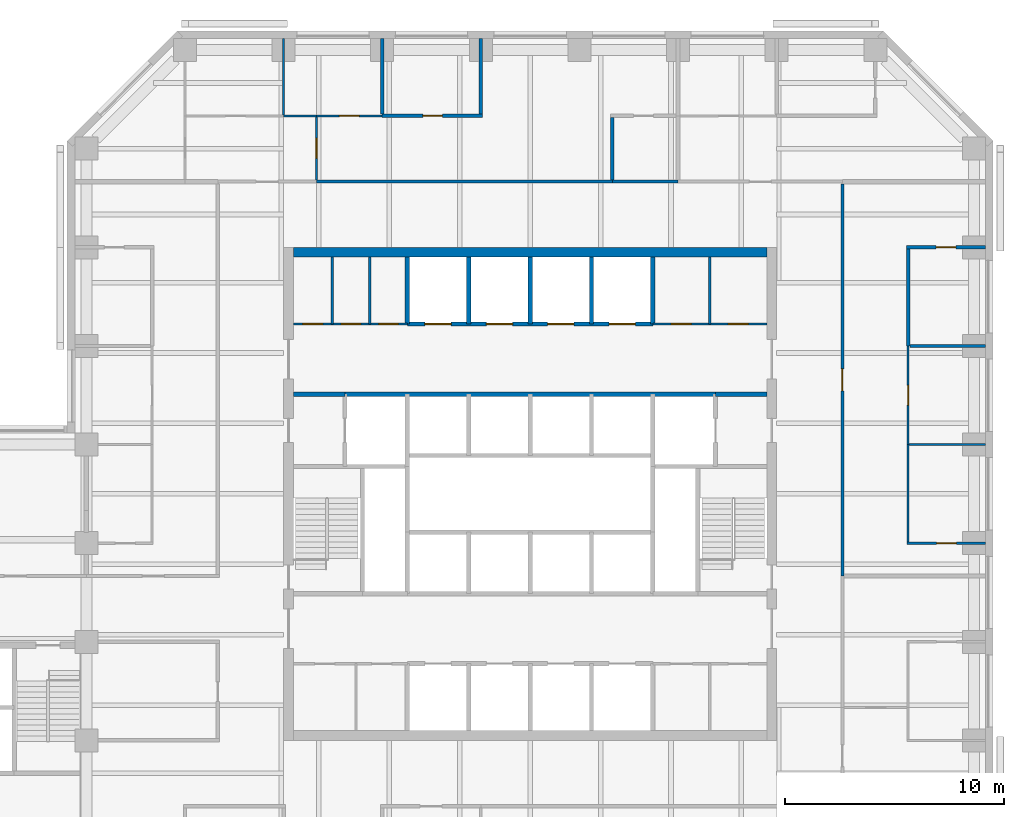
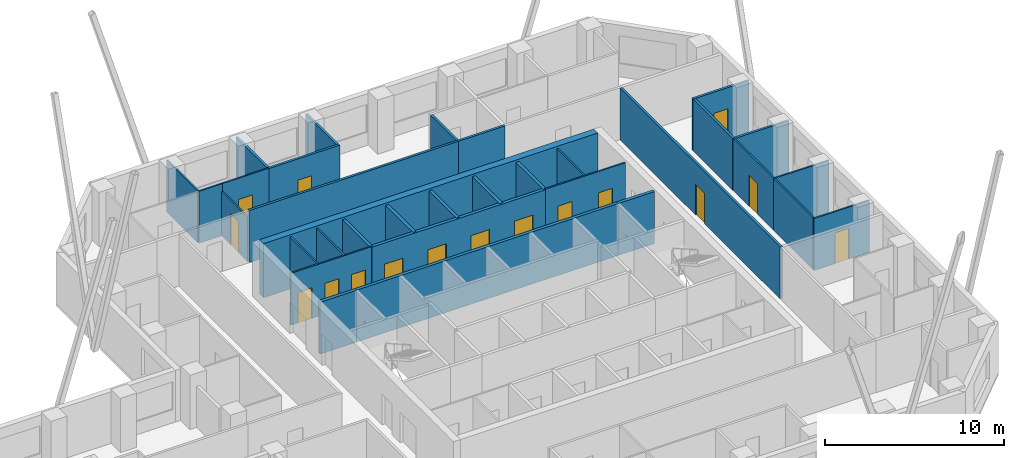
# One storey, part 8 of 11: 33 walls, 16 doors, 16 openings.
"""IFC4 building model written with IfcOpenShell, lengths in metres."""

from ifc_helpers import new_model, si_unit, direction, frame, frame_2d, origin, place, context, subcontext, project, spatial, rectangle, extrude, material, layer, layer_set, type_object, element, fill, save


model = new_model("IFC4")

# Units and contexts
model_context = context("Model", 3, precision=1e-05, world=origin(), true_north=direction((0.0, 1.0)))
body_context = subcontext(model_context, "Body", "Model", "MODEL_VIEW")
ifc_project = project(units=[si_unit("LENGTHUNIT", "METRE"), si_unit("AREAUNIT", "SQUARE_METRE"), si_unit("VOLUMEUNIT", "CUBIC_METRE"), si_unit("PLANEANGLEUNIT", "RADIAN"), si_unit("MASSUNIT", "GRAM", prefix="KILO")], contexts=[model_context])

# Site, building, storey
site_placement = place(None, origin())
site = spatial("IfcSite", under=ifc_project, at=site_placement, CompositionType="ELEMENT")
building_placement = place(site_placement, origin())
building = spatial("IfcBuilding", under=site, at=building_placement, Name="Quoin Convention Tower", CompositionType="ELEMENT")
storey_placement = place(building_placement, frame((0.0, 0.0, 112.199951171875)))
storey = spatial("IfcBuildingStorey", under=building, at=storey_placement, Name="L29", CompositionType="ELEMENT", Elevation=112.199951171875)

# Wall
ifc_material_1 = material(Name="Plasterboard")
ifc_layer_1 = layer(ifc_material_1, 0.012451171875, Name="Finish")
ifc_material_2 = material(Name="Steel stud framing", Category="steel")
ifc_layer_2 = layer(ifc_material_2, 0.125, Name="Structure")
ifc_layer_3 = layer(ifc_material_1, 0.012451171875, Name="Finish")
ifc_layer_set_1 = layer_set([ifc_layer_1, ifc_layer_2, ifc_layer_3], Name="Steel stud framing")
wall_type_1 = type_object("IfcWallType", Name="Acoustic partition 150", PredefinedType="PARTITIONING", material=ifc_layer_set_1)
wall_1_placement = place(storey_placement, frame((73.574951171875, 67.5, 0.0), z_axis=(0.0, 0.0, 1.0), x_axis=(1.0, 0.0, 0.0)))
element("IfcWall", 1, at=wall_1_placement, inside=storey, type_object=wall_type_1, Name="pw-L29-046", PredefinedType="PARTITIONING", context=body_context, shape_type="SweptSolid", body=[
    extrude(rectangle(XDim=3.449951171875, YDim=0.14990234375, at=frame_2d((1.72509765625, 0.0))), origin(), (0.0, 0.0, 1.0), 3.550048828125),
])

# Wall, opening, door
wall_2_placement = place(storey_placement, frame((73.425048828125, 72.0, 0.0), z_axis=(0.0, 0.0, 1.0), x_axis=(1.0, 0.0, 0.0)))
wall_2 = element("IfcWall", 2, at=wall_2_placement, inside=storey, type_object=wall_type_1, Name="pw-L29-048", PredefinedType="PARTITIONING", context=body_context, shape_type="SweptSolid", body=[
    extrude(rectangle(XDim=3.599853515625, YDim=0.14990234375, at=frame_2d((1.7998046875, 0.0))), origin(), (0.0, 0.0, 1.0), 3.550048828125),
])
opening_1_placement = place(wall_2_placement, frame((1.35009765625, 0.0, 0.0)))
opening_1 = element("IfcOpeningElement", 3, at=opening_1_placement, cuts=wall_2, Name="Opening DOL5-16", PredefinedType="OPENING", context=body_context, shape_type="SweptSolid", body=[
    extrude(rectangle(XDim=0.89990234375, YDim=2.10009765625, at=frame_2d((0.449951171875, 1.050048828125))), frame((0.0, 0.0849609375, 0.0), z_axis=(0.0, -1.0, 0.0), x_axis=(1.0, 0.0, 0.0)), (0.0, 0.0, 1.0), 0.169921875),
])
ifc_material_3 = material(Name="Steel door leaf", Category="steel")
door_type_1 = type_object("IfcDoorType", Name="Office door 900 x 2100", OperationType="SINGLE_SWING_RIGHT", PredefinedType="DOOR", material=ifc_material_3)
door_1_placement = place(opening_1_placement, origin())
door_1 = element("IfcDoor", 4, at=door_1_placement, inside=storey, type_object=door_type_1, Name="dr-L29-45", OperationType="SINGLE_SWING_RIGHT", OverallHeight=2.10009765625, OverallWidth=0.89990234375, PredefinedType="DOOR", context=body_context, shape_type="SweptSolid", body=[
    extrude(rectangle(XDim=0.89990234375, YDim=2.10009765625, at=frame_2d((0.449951171875, 1.050048828125))), frame((0.0, 0.02490234375, 0.0), z_axis=(0.0, -1.0, 0.0), x_axis=(1.0, 0.0, 0.0)), (0.0, 0.0, 1.0), 0.050048828125),
])
fill(opening_1, door_1)

wall_3_placement = place(storey_placement, frame((49.5, 78.0, 0.0), z_axis=(0.0, 0.0, 1.0), x_axis=(1.0, 0.0, 0.0)))
wall_3 = element("IfcWall", 5, at=wall_3_placement, inside=storey, type_object=wall_type_1, Name="pw-L29-059", PredefinedType="PARTITIONING", context=body_context, shape_type="SweptSolid", body=[
    extrude(rectangle(XDim=4.574951171875, YDim=0.14990234375, at=frame_2d((2.28759765625, 0.0))), origin(), (0.0, 0.0, 1.0), 3.550048828125),
])
opening_2_placement = place(wall_3_placement, frame((1.85009765625, 0.0, 0.0)))
opening_2 = element("IfcOpeningElement", 6, at=opening_2_placement, cuts=wall_3, Name="Opening DOL5-21", PredefinedType="OPENING", context=body_context, shape_type="SweptSolid", body=[
    extrude(rectangle(XDim=0.89990234375, YDim=2.10009765625, at=frame_2d((0.449951171875, 1.050048828125))), frame((0.0, 0.0849609375, 0.0), z_axis=(0.0, -1.0, 0.0), x_axis=(1.0, 0.0, 0.0)), (0.0, 0.0, 1.0), 0.169921875),
])
door_2_placement = place(opening_2_placement, frame((0.89990234375, 0.0, 0.0), z_axis=(0.0, 0.0, 1.0), x_axis=(-1.0, 0.0, 0.0)))
door_2 = element("IfcDoor", 7, at=door_2_placement, inside=storey, type_object=door_type_1, Name="dr-L29-37", OperationType="SINGLE_SWING_LEFT", OverallHeight=2.10009765625, OverallWidth=0.89990234375, PredefinedType="DOOR", context=body_context, shape_type="SweptSolid", body=[
    extrude(rectangle(XDim=0.89990234375, YDim=2.10009765625, at=frame_2d((0.449951171875, 1.050048828125))), frame((0.0, 0.02490234375, 0.0), z_axis=(0.0, -1.0, 0.0), x_axis=(1.0, 0.0, 0.0)), (0.0, 0.0, 1.0), 0.050048828125),
])
fill(opening_2, door_2)

# Walls
wall_4_placement = place(storey_placement, frame((73.5, 67.5, 0.0), z_axis=(0.0, 0.0, 1.0), x_axis=(0.0, 1.0, 0.0)))
element("IfcWall", 8, at=wall_4_placement, inside=storey, type_object=wall_type_1, Name="pw-L29-109", PredefinedType="PARTITIONING", context=body_context, shape_type="SweptSolid", body=[
    extrude(rectangle(XDim=4.425048828125, YDim=0.14990234375, at=frame_2d((2.21240234375, 0.0))), origin(), (0.0, 0.0, 1.0), 3.550048828125),
])
for number, where, z_axis, x_axis, name in (
    (9, (49.5, 78.074951171875, 0.0), (0.0, 0.0, 1.0), (0.0, 1.0, 0.0), "pw-L29-117"),
    (10, (54.0, 78.074951171875, 0.0), (0.0, 0.0, 1.0), (0.0, 1.0, 0.0), "pw-L29-118"),
):
    element("IfcWall", number, at=place(storey_placement, frame(where, z_axis=z_axis, x_axis=x_axis)), inside=storey, type_object=wall_type_1, Name=name, PredefinedType="PARTITIONING", context=body_context, shape_type="SweptSolid", body=[
        extrude(rectangle(XDim=3.449951171875, YDim=0.14990234375, at=frame_2d((1.72509765625, 0.0))), origin(), (0.0, 0.0, 1.0), 3.550048828125),
    ])

# Wall, openings, doors
ifc_layer_4 = layer(ifc_material_1, 0.012451171875, Name="Finish")
ifc_layer_5 = layer(ifc_material_2, 0.074951171875, Name="Structure")
ifc_layer_6 = layer(ifc_material_1, 0.012451171875, Name="Finish")
ifc_layer_set_2 = layer_set([ifc_layer_4, ifc_layer_5, ifc_layer_6], Name="Steel stud framing")
wall_type_2 = type_object("IfcWallType", Name="Core partition wall", PredefinedType="PARTITIONING", material=ifc_layer_set_2)
wall_5_placement = place(storey_placement, frame((45.449951171875, 68.5, 0.0), z_axis=(0.0, 0.0, 1.0), x_axis=(1.0, 0.0, 0.0)))
wall_5 = element("IfcWall", 11, at=wall_5_placement, inside=storey, type_object=wall_type_2, Name="cr-C1-L29-h19000_450", PredefinedType="PARTITIONING", context=body_context, shape_type="SweptSolid", body=[
    extrude(rectangle(XDim=5.199951171875, YDim=0.10009765625, at=frame_2d((2.60009765625, 0.0))), origin(), (0.0, 0.0, 1.0), 3.550048828125),
])
opening_3_placement = place(wall_5_placement, frame((0.43408203125, 0.0, 0.0)))
opening_3 = element("IfcOpeningElement", 12, at=opening_3_placement, cuts=wall_5, Name="Opening DCV4-15", PredefinedType="OPENING", context=body_context, shape_type="SweptSolid", body=[
    extrude(rectangle(XDim=0.89990234375, YDim=2.10009765625, at=frame_2d((0.449951171875, 1.050048828125))), frame((0.0, 0.06005859375, 0.0), z_axis=(0.0, -1.0, 0.0), x_axis=(1.0, 0.0, 0.0)), (0.0, 0.0, 1.0), 0.1201171875),
])
opening_4_placement = place(wall_5_placement, frame((2.176025390625, 0.0, 0.0)))
opening_4 = element("IfcOpeningElement", 13, at=opening_4_placement, cuts=wall_5, Name="Opening DCV4-16", PredefinedType="OPENING", context=body_context, shape_type="SweptSolid", body=[
    extrude(rectangle(XDim=0.89990234375, YDim=2.10009765625, at=frame_2d((0.449951171875, 1.050048828125))), frame((0.0, 0.06005859375, 0.0), z_axis=(0.0, -1.0, 0.0), x_axis=(1.0, 0.0, 0.0)), (0.0, 0.0, 1.0), 0.1201171875),
])
opening_5_placement = place(wall_5_placement, frame((3.89208984375, 0.0, 0.0)))
opening_5 = element("IfcOpeningElement", 14, at=opening_5_placement, cuts=wall_5, Name="Opening DCV4-17", PredefinedType="OPENING", context=body_context, shape_type="SweptSolid", body=[
    extrude(rectangle(XDim=0.89990234375, YDim=2.10009765625, at=frame_2d((0.449951171875, 1.050048828125))), frame((0.0, 0.06005859375, 0.0), z_axis=(0.0, -1.0, 0.0), x_axis=(1.0, 0.0, 0.0)), (0.0, 0.0, 1.0), 0.1201171875),
])
door_type_2 = type_object("IfcDoorType", Name="Core room door 900 x 2100", OperationType="SINGLE_SWING_LEFT", PredefinedType="DOOR", material=ifc_material_3)
door_3_placement = place(opening_3_placement, origin())
door_3 = element("IfcDoor", 15, at=door_3_placement, inside=storey, type_object=door_type_2, Name="cd-C1-L29-CNW0-lobB-CD2909", OperationType="SINGLE_SWING_RIGHT", OverallHeight=2.10009765625, OverallWidth=0.89990234375, PredefinedType="DOOR", context=body_context, shape_type="SweptSolid", body=[
    extrude(rectangle(XDim=0.89990234375, YDim=2.10009765625, at=frame_2d((0.449951171875, 1.050048828125))), frame((0.0, 0.02490234375, 0.0), z_axis=(0.0, -1.0, 0.0), x_axis=(1.0, 0.0, 0.0)), (0.0, 0.0, 1.0), 0.050048828125),
])
fill(opening_3, door_3)
door_4_placement = place(opening_4_placement, origin())
door_4 = element("IfcDoor", 16, at=door_4_placement, inside=storey, type_object=door_type_2, Name="cd-C1-L29-CNW1-lobB-CD2910", OperationType="SINGLE_SWING_RIGHT", OverallHeight=2.10009765625, OverallWidth=0.89990234375, PredefinedType="DOOR", context=body_context, shape_type="SweptSolid", body=[
    extrude(rectangle(XDim=0.89990234375, YDim=2.10009765625, at=frame_2d((0.449951171875, 1.050048828125))), frame((0.0, 0.02490234375, 0.0), z_axis=(0.0, -1.0, 0.0), x_axis=(1.0, 0.0, 0.0)), (0.0, 0.0, 1.0), 0.050048828125),
])
fill(opening_4, door_4)
door_5_placement = place(opening_5_placement, origin())
door_5 = element("IfcDoor", 17, at=door_5_placement, inside=storey, type_object=door_type_2, Name="cd-C1-L29-CNW2-lobB-CD2911", OperationType="SINGLE_SWING_RIGHT", OverallHeight=2.10009765625, OverallWidth=0.89990234375, PredefinedType="DOOR", context=body_context, shape_type="SweptSolid", body=[
    extrude(rectangle(XDim=0.89990234375, YDim=2.10009765625, at=frame_2d((0.449951171875, 1.050048828125))), frame((0.0, 0.02490234375, 0.0), z_axis=(0.0, -1.0, 0.0), x_axis=(1.0, 0.0, 0.0)), (0.0, 0.0, 1.0), 0.050048828125),
])
fill(opening_5, door_5)

wall_6_placement = place(storey_placement, frame((61.85009765625, 68.5, 0.0), z_axis=(0.0, 0.0, 1.0), x_axis=(1.0, 0.0, 0.0)))
wall_6 = element("IfcWall", 18, at=wall_6_placement, inside=storey, type_object=wall_type_2, Name="cr-C1-L29-h19000_16850", PredefinedType="PARTITIONING", context=body_context, shape_type="SweptSolid", body=[
    extrude(rectangle(XDim=5.199951171875, YDim=0.10009765625, at=frame_2d((2.60009765625, 0.0))), origin(), (0.0, 0.0, 1.0), 3.550048828125),
])
opening_6_placement = place(wall_6_placement, frame((3.449951171875, 0.0, 0.0)))
opening_6 = element("IfcOpeningElement", 19, at=opening_6_placement, cuts=wall_6, Name="Opening DCV4-04", PredefinedType="OPENING", context=body_context, shape_type="SweptSolid", body=[
    extrude(rectangle(XDim=0.89990234375, YDim=2.10009765625, at=frame_2d((0.449951171875, 1.050048828125))), frame((0.0, 0.06005859375, 0.0), z_axis=(0.0, -1.0, 0.0), x_axis=(1.0, 0.0, 0.0)), (0.0, 0.0, 1.0), 0.1201171875),
])
opening_7_placement = place(wall_6_placement, frame((0.85009765625, 0.0, 0.0)))
opening_7 = element("IfcOpeningElement", 20, at=opening_7_placement, cuts=wall_6, Name="Opening DCV4-02", PredefinedType="OPENING", context=body_context, shape_type="SweptSolid", body=[
    extrude(rectangle(XDim=0.89990234375, YDim=2.10009765625, at=frame_2d((0.449951171875, 1.050048828125))), frame((0.0, 0.06005859375, 0.0), z_axis=(0.0, -1.0, 0.0), x_axis=(1.0, 0.0, 0.0)), (0.0, 0.0, 1.0), 0.1201171875),
])
door_6_placement = place(opening_6_placement, origin())
door_6 = element("IfcDoor", 21, at=door_6_placement, inside=storey, type_object=door_type_2, Name="cd-C1-L29-CNE0-lobB-CD2907", OperationType="SINGLE_SWING_RIGHT", OverallHeight=2.10009765625, OverallWidth=0.89990234375, PredefinedType="DOOR", context=body_context, shape_type="SweptSolid", body=[
    extrude(rectangle(XDim=0.89990234375, YDim=2.10009765625, at=frame_2d((0.449951171875, 1.050048828125))), frame((0.0, 0.02490234375, 0.0), z_axis=(0.0, -1.0, 0.0), x_axis=(1.0, 0.0, 0.0)), (0.0, 0.0, 1.0), 0.050048828125),
])
fill(opening_6, door_6)
door_7_placement = place(opening_7_placement, origin())
door_7 = element("IfcDoor", 22, at=door_7_placement, inside=storey, type_object=door_type_2, Name="cd-C1-L29-CNE1-lobB-CD2908", OperationType="SINGLE_SWING_LEFT", OverallHeight=2.10009765625, OverallWidth=0.89990234375, PredefinedType="DOOR", context=body_context, shape_type="SweptSolid", body=[
    extrude(rectangle(XDim=0.89990234375, YDim=2.10009765625, at=frame_2d((0.449951171875, 1.050048828125))), frame((0.0, 0.02490234375, 0.0), z_axis=(0.0, -1.0, 0.0), x_axis=(1.0, 0.0, 0.0)), (0.0, 0.0, 1.0), 0.050048828125),
])
fill(opening_7, door_7)

# Walls
for number, where, z_axis, x_axis, name in (
    (23, (47.218017578125, 68.5, 0.0), (0.0, 0.0, 1.0), (0.0, 1.0, 0.0), "cr-C1-L29-v2218_19000"),
    (24, (48.93408203125, 68.5, 0.0), (0.0, 0.0, 1.0), (0.0, 1.0, 0.0), "cr-C1-L29-v3934_19000"),
    (25, (64.449951171875, 68.5, 0.0), (0.0, 0.0, 1.0), (0.0, 1.0, 0.0), "cr-C1-L29-v19450_19000"),
):
    element("IfcWall", number, at=place(storey_placement, frame(where, z_axis=z_axis, x_axis=x_axis)), inside=storey, type_object=wall_type_2, Name=name, PredefinedType="PARTITIONING", context=body_context, shape_type="SweptSolid", body=[
        extrude(rectangle(XDim=3.050048828125, YDim=0.10009765625, at=frame_2d((1.52490234375, 0.0))), origin(), (0.0, 0.0, 1.0), 3.550048828125),
    ])
ifc_material_4 = material(Name="Concrete C50", Category="concrete")
ifc_layer_7 = layer(ifc_material_4, 0.199951171875)
ifc_layer_set_3 = layer_set([ifc_layer_7], Name="Concrete C50")
wall_type_3 = type_object("IfcWallType", Name="Core shaft wall", PredefinedType="SOLIDWALL", material=ifc_layer_set_3)
for number, where, z_axis, x_axis, name in (
    (26, (45.449951171875, 65.300048828125, 0.0), (0.0, 0.0, 1.0), (1.0, 0.0, 0.0), "cr-C1-L29-h15800_450"),
    (27, (64.699951171875, 65.300048828125, 0.0), (0.0, 0.0, 1.0), (1.0, 0.0, 0.0), "cr-C1-L29-h15800_19700"),
):
    element("IfcWall", number, at=place(storey_placement, frame(where, z_axis=z_axis, x_axis=x_axis)), inside=storey, type_object=wall_type_3, Name=name, PredefinedType="SOLIDWALL", context=body_context, shape_type="SweptSolid", body=[
        extrude(rectangle(XDim=2.35009765625, YDim=0.199951171875, at=frame_2d((1.175048828125, 0.0))), origin(), (0.0, 0.0, 1.0), 3.550048828125),
    ])
wall_7_placement = place(storey_placement, frame((47.800048828125, 65.300048828125, 0.0), z_axis=(0.0, 0.0, 1.0), x_axis=(1.0, 0.0, 0.0)))
element("IfcWall", 28, at=wall_7_placement, inside=storey, type_object=wall_type_3, Name="cr-C1-L29-h15800_2800", PredefinedType="SOLIDWALL", context=body_context, shape_type="SweptSolid", body=[
    extrude(rectangle(XDim=16.89990234375, YDim=0.199951171875, at=frame_2d((8.449951171875, 0.0))), origin(), (0.0, 0.0, 1.0), 3.550048828125),
])

# Wall, openings, doors
wall_8_placement = place(storey_placement, frame((50.64990234375, 68.5, 0.0), z_axis=(0.0, 0.0, 1.0), x_axis=(1.0, 0.0, 0.0)))
wall_8 = element("IfcWall", 29, at=wall_8_placement, inside=storey, type_object=wall_type_3, Name="cr-C1-L29-h19000_5650", PredefinedType="SOLIDWALL", context=body_context, shape_type="SweptSolid", body=[
    extrude(rectangle(XDim=11.2001953125, YDim=0.199951171875, at=frame_2d((5.60009765625, 0.0))), origin(), (0.0, 0.0, 1.0), 3.550048828125),
])
opening_8_placement = place(wall_8_placement, frame((0.800048828125, 0.0, 0.0)))
opening_8 = element("IfcOpeningElement", 30, at=opening_8_placement, cuts=wall_8, Name="Opening LDL5", PredefinedType="OPENING", context=body_context, shape_type="SweptSolid", body=[
    extrude(rectangle(XDim=1.199951171875, YDim=2.10009765625, at=frame_2d((0.60009765625, 1.050048828125))), frame((0.0, 0.10986328125, 0.0), z_axis=(0.0, -1.0, 0.0), x_axis=(1.0, 0.0, 0.0)), (0.0, 0.0, 1.0), 0.219970703125),
])
opening_9_placement = place(wall_8_placement, frame((3.60009765625, 0.0, 0.0)))
opening_9 = element("IfcOpeningElement", 31, at=opening_9_placement, cuts=wall_8, Name="Opening LDL6", PredefinedType="OPENING", context=body_context, shape_type="SweptSolid", body=[
    extrude(rectangle(XDim=1.199951171875, YDim=2.10009765625, at=frame_2d((0.60009765625, 1.050048828125))), frame((0.0, 0.10986328125, 0.0), z_axis=(0.0, -1.0, 0.0), x_axis=(1.0, 0.0, 0.0)), (0.0, 0.0, 1.0), 0.219970703125),
])
opening_10_placement = place(wall_8_placement, frame((6.39990234375, 0.0, 0.0)))
opening_10 = element("IfcOpeningElement", 32, at=opening_10_placement, cuts=wall_8, Name="Opening LDL7", PredefinedType="OPENING", context=body_context, shape_type="SweptSolid", body=[
    extrude(rectangle(XDim=1.199951171875, YDim=2.10009765625, at=frame_2d((0.60009765625, 1.050048828125))), frame((0.0, 0.10986328125, 0.0), z_axis=(0.0, -1.0, 0.0), x_axis=(1.0, 0.0, 0.0)), (0.0, 0.0, 1.0), 0.219970703125),
])
opening_11_placement = place(wall_8_placement, frame((9.199951171875, 0.0, 0.0)))
opening_11 = element("IfcOpeningElement", 33, at=opening_11_placement, cuts=wall_8, Name="Opening LDL8", PredefinedType="OPENING", context=body_context, shape_type="SweptSolid", body=[
    extrude(rectangle(XDim=1.199951171875, YDim=2.10009765625, at=frame_2d((0.60009765625, 1.050048828125))), frame((0.0, 0.10986328125, 0.0), z_axis=(0.0, -1.0, 0.0), x_axis=(1.0, 0.0, 0.0)), (0.0, 0.0, 1.0), 0.219970703125),
])
door_type_3 = type_object("IfcDoorType", Name="Lift landing door 1200 x 2100", OperationType="DOUBLE_DOOR_SLIDING", PredefinedType="DOOR", material=ifc_material_3)
door_8_placement = place(opening_8_placement, origin())
door_8 = element("IfcDoor", 34, at=door_8_placement, inside=storey, type_object=door_type_3, Name="cd-C1-L29-R40-lobB-LDL5", OperationType="DOUBLE_DOOR_SLIDING", OverallHeight=2.10009765625, OverallWidth=1.199951171875, PredefinedType="DOOR", context=body_context, shape_type="SweptSolid", body=[
    extrude(rectangle(XDim=1.199951171875, YDim=2.10009765625, at=frame_2d((0.60009765625, 1.050048828125))), frame((0.0, 0.02490234375, 0.0), z_axis=(0.0, -1.0, 0.0), x_axis=(1.0, 0.0, 0.0)), (0.0, 0.0, 1.0), 0.050048828125),
])
fill(opening_8, door_8)
door_9_placement = place(opening_9_placement, origin())
door_9 = element("IfcDoor", 35, at=door_9_placement, inside=storey, type_object=door_type_3, Name="cd-C1-L29-R41-lobB-LDL6", OperationType="DOUBLE_DOOR_SLIDING", OverallHeight=2.10009765625, OverallWidth=1.199951171875, PredefinedType="DOOR", context=body_context, shape_type="SweptSolid", body=[
    extrude(rectangle(XDim=1.199951171875, YDim=2.10009765625, at=frame_2d((0.60009765625, 1.050048828125))), frame((0.0, 0.02490234375, 0.0), z_axis=(0.0, -1.0, 0.0), x_axis=(1.0, 0.0, 0.0)), (0.0, 0.0, 1.0), 0.050048828125),
])
fill(opening_9, door_9)
door_10_placement = place(opening_10_placement, origin())
door_10 = element("IfcDoor", 36, at=door_10_placement, inside=storey, type_object=door_type_3, Name="cd-C1-L29-R42-lobB-LDL7", OperationType="DOUBLE_DOOR_SLIDING", OverallHeight=2.10009765625, OverallWidth=1.199951171875, PredefinedType="DOOR", context=body_context, shape_type="SweptSolid", body=[
    extrude(rectangle(XDim=1.199951171875, YDim=2.10009765625, at=frame_2d((0.60009765625, 1.050048828125))), frame((0.0, 0.02490234375, 0.0), z_axis=(0.0, -1.0, 0.0), x_axis=(1.0, 0.0, 0.0)), (0.0, 0.0, 1.0), 0.050048828125),
])
fill(opening_10, door_10)
door_11_placement = place(opening_11_placement, origin())
door_11 = element("IfcDoor", 37, at=door_11_placement, inside=storey, type_object=door_type_3, Name="cd-C1-L29-R43-lobB-LDL8", OperationType="DOUBLE_DOOR_SLIDING", OverallHeight=2.10009765625, OverallWidth=1.199951171875, PredefinedType="DOOR", context=body_context, shape_type="SweptSolid", body=[
    extrude(rectangle(XDim=1.199951171875, YDim=2.10009765625, at=frame_2d((0.60009765625, 1.050048828125))), frame((0.0, 0.02490234375, 0.0), z_axis=(0.0, -1.0, 0.0), x_axis=(1.0, 0.0, 0.0)), (0.0, 0.0, 1.0), 0.050048828125),
])
fill(opening_11, door_11)

# Walls
for number, where, z_axis, x_axis, name in (
    (38, (50.64990234375, 68.5, 0.0), (0.0, 0.0, 1.0), (0.0, 1.0, 0.0), "cr-C1-L29-v5650_19000"),
    (39, (53.449951171875, 68.5, 0.0), (0.0, 0.0, 1.0), (0.0, 1.0, 0.0), "cr-C1-L29-v8450_19000"),
    (40, (56.25, 68.5, 0.0), (0.0, 0.0, 1.0), (0.0, 1.0, 0.0), "cr-C1-L29-v11250_19000"),
    (41, (59.050048828125, 68.5, 0.0), (0.0, 0.0, 1.0), (0.0, 1.0, 0.0), "cr-C1-L29-v14050_19000"),
    (42, (61.85009765625, 68.5, 0.0), (0.0, 0.0, 1.0), (0.0, 1.0, 0.0), "cr-C1-L29-v16850_19000"),
):
    element("IfcWall", number, at=place(storey_placement, frame(where, z_axis=z_axis, x_axis=x_axis)), inside=storey, type_object=wall_type_3, Name=name, PredefinedType="SOLIDWALL", context=body_context, shape_type="SweptSolid", body=[
        extrude(rectangle(XDim=3.050048828125, YDim=0.199951171875, at=frame_2d((1.52490234375, 0.0))), origin(), (0.0, 0.0, 1.0), 3.550048828125),
    ])
ifc_layer_8 = layer(ifc_material_1, 0.012451171875, Name="Finish")
ifc_layer_9 = layer(ifc_material_2, 0.125, Name="Structure")
ifc_layer_10 = layer(ifc_material_1, 0.012451171875, Name="Finish")
ifc_layer_set_4 = layer_set([ifc_layer_8, ifc_layer_9, ifc_layer_10], Name="Steel stud framing")
wall_type_4 = type_object("IfcWallType", Name="Corridor wall 150", PredefinedType="PARTITIONING", material=ifc_layer_set_4)
wall_9_placement = place(storey_placement, frame((46.5, 75.0, 0.0), z_axis=(0.0, 0.0, 1.0), x_axis=(1.0, 0.0, 0.0)))
element("IfcWall", 43, at=wall_9_placement, inside=storey, type_object=wall_type_4, Name="pw-L29-052", PredefinedType="PARTITIONING", context=body_context, shape_type="SweptSolid", body=[
    extrude(rectangle(XDim=13.5, YDim=0.14990234375, at=frame_2d((6.75, 0.0))), origin(), (0.0, 0.0, 1.0), 3.550048828125),
])
wall_10_placement = place(storey_placement, frame((60.0, 75.0, 0.0), z_axis=(0.0, 0.0, 1.0), x_axis=(1.0, 0.0, 0.0)))
element("IfcWall", 44, at=wall_10_placement, inside=storey, type_object=wall_type_4, Name="pw-L29-053", PredefinedType="PARTITIONING", context=body_context, shape_type="SweptSolid", body=[
    extrude(rectangle(XDim=3.0, YDim=0.14990234375, at=frame_2d((1.5, 0.0))), origin(), (0.0, 0.0, 1.0), 3.550048828125),
])

# Wall, opening, door
wall_11_placement = place(storey_placement, frame((70.5, 57.0, 0.0), z_axis=(0.0, 0.0, 1.0), x_axis=(0.0, 1.0, 0.0)))
wall_11 = element("IfcWall", 45, at=wall_11_placement, inside=storey, type_object=wall_type_4, Name="pw-L29-094", PredefinedType="PARTITIONING", context=body_context, shape_type="SweptSolid", body=[
    extrude(rectangle(XDim=17.89990234375, YDim=0.14990234375, at=frame_2d((8.949951171875, 0.0))), origin(), (0.0, 0.0, 1.0), 3.550048828125),
])
opening_12_placement = place(wall_11_placement, frame((8.449951171875, 0.0, 0.0)))
opening_12 = element("IfcOpeningElement", 46, at=opening_12_placement, cuts=wall_11, Name="Opening DOL5-33", PredefinedType="OPENING", context=body_context, shape_type="SweptSolid", body=[
    extrude(rectangle(XDim=1.0, YDim=2.10009765625, at=frame_2d((0.5, 1.050048828125))), frame((0.0, 0.0849609375, 0.0), z_axis=(0.0, -1.0, 0.0), x_axis=(1.0, 0.0, 0.0)), (0.0, 0.0, 1.0), 0.169921875),
])
door_type_4 = type_object("IfcDoorType", Name="Tenancy entrance door 1000 x 2100", OperationType="DOUBLE_DOOR_SINGLE_SWING", PredefinedType="DOOR", material=ifc_material_3)
door_12_placement = place(opening_12_placement, frame((1.0, 0.0, 0.0), z_axis=(0.0, 0.0, 1.0), x_axis=(-1.0, 0.0, 0.0)))
door_12 = element("IfcDoor", 47, at=door_12_placement, inside=storey, type_object=door_type_4, Name="dr-L29-42", OperationType="DOUBLE_DOOR_SINGLE_SWING", OverallHeight=2.10009765625, OverallWidth=1.0, PredefinedType="DOOR", context=body_context, shape_type="SweptSolid", body=[
    extrude(rectangle(XDim=1.0, YDim=2.10009765625, at=frame_2d((0.5, 1.050048828125))), frame((0.0, 0.02490234375, 0.0), z_axis=(0.0, -1.0, 0.0), x_axis=(1.0, 0.0, 0.0)), (0.0, 0.0, 1.0), 0.050048828125),
])
fill(opening_12, door_12)

# Wall
ifc_material_5 = material(Name="Concrete C65", Category="concrete")
ifc_layer_11 = layer(ifc_material_5, 0.449951171875)
ifc_layer_set_5 = layer_set([ifc_layer_11], Name="Concrete C65")
wall_type_5 = type_object("IfcWallType", Name="RC CORE WALL 450 C65", PredefinedType="SHEAR", material=ifc_layer_set_5)
wall_12_placement = place(storey_placement, frame((45.449951171875, 71.77490234375, 0.0), z_axis=(0.0, 0.0, 1.0), x_axis=(1.0, 0.0, 0.0)))
element("IfcWall", 48, at=wall_12_placement, inside=storey, type_object=wall_type_5, Name="cwl-C1-L29-N", PredefinedType="SHEAR", context=body_context, shape_type="SweptSolid", body=[
    extrude(rectangle(XDim=21.60009765625, YDim=0.449951171875, at=frame_2d((10.800048828125, 0.0))), origin(), (0.0, 0.0, 1.0), 3.699951171875),
])

# Wall, opening, door
ifc_layer_12 = layer(ifc_material_1, 0.012451171875, Name="Finish")
ifc_layer_13 = layer(ifc_material_2, 0.074951171875, Name="Structure")
ifc_layer_14 = layer(ifc_material_1, 0.012451171875, Name="Finish")
ifc_layer_set_6 = layer_set([ifc_layer_12, ifc_layer_13, ifc_layer_14], Name="Steel stud framing")
wall_type_6 = type_object("IfcWallType", Name="Stud partition 100", PredefinedType="PARTITIONING", material=ifc_layer_set_6)
wall_13_placement = place(storey_placement, frame((73.449951171875, 58.5, 0.0), z_axis=(0.0, 0.0, 1.0), x_axis=(1.0, 0.0, 0.0)))
wall_13 = element("IfcWall", 49, at=wall_13_placement, inside=storey, type_object=wall_type_6, Name="pw-L29-039", PredefinedType="PARTITIONING", context=body_context, shape_type="SweptSolid", body=[
    extrude(rectangle(XDim=3.574951171875, YDim=0.10009765625, at=frame_2d((1.78759765625, 0.0))), origin(), (0.0, 0.0, 1.0), 3.550048828125),
])
opening_13_placement = place(wall_13_placement, frame((1.35009765625, 0.0, 0.0)))
opening_13 = element("IfcOpeningElement", 50, at=opening_13_placement, cuts=wall_13, Name="Opening DOL5-14", PredefinedType="OPENING", context=body_context, shape_type="SweptSolid", body=[
    extrude(rectangle(XDim=0.89990234375, YDim=2.10009765625, at=frame_2d((0.449951171875, 1.050048828125))), frame((0.0, 0.06005859375, 0.0), z_axis=(0.0, -1.0, 0.0), x_axis=(1.0, 0.0, 0.0)), (0.0, 0.0, 1.0), 0.1201171875),
])
door_13_placement = place(opening_13_placement, frame((0.89990234375, 0.0, 0.0), z_axis=(0.0, 0.0, 1.0), x_axis=(-1.0, 0.0, 0.0)))
door_13 = element("IfcDoor", 51, at=door_13_placement, inside=storey, type_object=door_type_1, Name="dr-L29-43", OperationType="SINGLE_SWING_LEFT", OverallHeight=2.10009765625, OverallWidth=0.89990234375, PredefinedType="DOOR", context=body_context, shape_type="SweptSolid", body=[
    extrude(rectangle(XDim=0.89990234375, YDim=2.10009765625, at=frame_2d((0.449951171875, 1.050048828125))), frame((0.0, 0.02490234375, 0.0), z_axis=(0.0, -1.0, 0.0), x_axis=(1.0, 0.0, 0.0)), (0.0, 0.0, 1.0), 0.050048828125),
])
fill(opening_13, door_13)

# Walls
wall_14_placement = place(storey_placement, frame((73.550048828125, 63.0, 0.0), z_axis=(0.0, 0.0, 1.0), x_axis=(1.0, 0.0, 0.0)))
element("IfcWall", 52, at=wall_14_placement, inside=storey, type_object=wall_type_6, Name="pw-L29-044", PredefinedType="PARTITIONING", context=body_context, shape_type="SweptSolid", body=[
    extrude(rectangle(XDim=3.474853515625, YDim=0.10009765625, at=frame_2d((1.7373046875, 0.0))), origin(), (0.0, 0.0, 1.0), 3.550048828125),
])
wall_15_placement = place(storey_placement, frame((45.0, 78.0, 0.0), z_axis=(0.0, 0.0, 1.0), x_axis=(1.0, 0.0, 0.0)))
element("IfcWall", 53, at=wall_15_placement, inside=storey, type_object=wall_type_6, Name="pw-L29-057", PredefinedType="PARTITIONING", context=body_context, shape_type="SweptSolid", body=[
    extrude(rectangle(XDim=1.5, YDim=0.10009765625, at=frame_2d((0.75, 0.0))), origin(), (0.0, 0.0, 1.0), 3.550048828125),
])

# Wall, opening, door
wall_16_placement = place(storey_placement, frame((46.5, 78.0, 0.0), z_axis=(0.0, 0.0, 1.0), x_axis=(1.0, 0.0, 0.0)))
wall_16 = element("IfcWall", 54, at=wall_16_placement, inside=storey, type_object=wall_type_6, Name="pw-L29-058", PredefinedType="PARTITIONING", context=body_context, shape_type="SweptSolid", body=[
    extrude(rectangle(XDim=3.0, YDim=0.10009765625, at=frame_2d((1.5, 0.0))), origin(), (0.0, 0.0, 1.0), 3.550048828125),
])
opening_14_placement = place(wall_16_placement, frame((1.050048828125, 0.0, 0.0)))
opening_14 = element("IfcOpeningElement", 55, at=opening_14_placement, cuts=wall_16, Name="Opening DOL5-20", PredefinedType="OPENING", context=body_context, shape_type="SweptSolid", body=[
    extrude(rectangle(XDim=0.89990234375, YDim=2.10009765625, at=frame_2d((0.449951171875, 1.050048828125))), frame((0.0, 0.06005859375, 0.0), z_axis=(0.0, -1.0, 0.0), x_axis=(1.0, 0.0, 0.0)), (0.0, 0.0, 1.0), 0.1201171875),
])
door_14_placement = place(opening_14_placement, frame((0.89990234375, 0.0, 0.0), z_axis=(0.0, 0.0, 1.0), x_axis=(-1.0, 0.0, 0.0)))
door_14 = element("IfcDoor", 56, at=door_14_placement, inside=storey, type_object=door_type_1, Name="dr-L29-35", OperationType="SINGLE_SWING_LEFT", OverallHeight=2.10009765625, OverallWidth=0.89990234375, PredefinedType="DOOR", context=body_context, shape_type="SweptSolid", body=[
    extrude(rectangle(XDim=0.89990234375, YDim=2.10009765625, at=frame_2d((0.449951171875, 1.050048828125))), frame((0.0, 0.02490234375, 0.0), z_axis=(0.0, -1.0, 0.0), x_axis=(1.0, 0.0, 0.0)), (0.0, 0.0, 1.0), 0.050048828125),
])
fill(opening_14, door_14)

# Wall
wall_17_placement = place(storey_placement, frame((73.5, 58.550048828125, 0.0), z_axis=(0.0, 0.0, 1.0), x_axis=(0.0, 1.0, 0.0)))
element("IfcWall", 57, at=wall_17_placement, inside=storey, type_object=wall_type_6, Name="pw-L29-099", PredefinedType="PARTITIONING", context=body_context, shape_type="SweptSolid", body=[
    extrude(rectangle(XDim=4.449951171875, YDim=0.10009765625, at=frame_2d((2.22509765625, 0.0))), origin(), (0.0, 0.0, 1.0), 3.550048828125),
])

# Wall, opening, door
wall_18_placement = place(storey_placement, frame((73.5, 63.0, 0.0), z_axis=(0.0, 0.0, 1.0), x_axis=(0.0, 1.0, 0.0)))
wall_18 = element("IfcWall", 58, at=wall_18_placement, inside=storey, type_object=wall_type_6, Name="pw-L29-107", PredefinedType="PARTITIONING", context=body_context, shape_type="SweptSolid", body=[
    extrude(rectangle(XDim=4.5, YDim=0.10009765625, at=frame_2d((2.25, 0.0))), origin(), (0.0, 0.0, 1.0), 3.550048828125),
])
opening_15_placement = place(wall_18_placement, frame((1.800048828125, 0.0, 0.0)))
opening_15 = element("IfcOpeningElement", 59, at=opening_15_placement, cuts=wall_18, Name="Opening DOL5-35", PredefinedType="OPENING", context=body_context, shape_type="SweptSolid", body=[
    extrude(rectangle(XDim=0.89990234375, YDim=2.10009765625, at=frame_2d((0.449951171875, 1.050048828125))), frame((0.0, 0.06005859375, 0.0), z_axis=(0.0, -1.0, 0.0), x_axis=(1.0, 0.0, 0.0)), (0.0, 0.0, 1.0), 0.1201171875),
])
door_15_placement = place(opening_15_placement, origin())
door_15 = element("IfcDoor", 60, at=door_15_placement, inside=storey, type_object=door_type_1, Name="dr-L29-44", OperationType="SINGLE_SWING_RIGHT", OverallHeight=2.10009765625, OverallWidth=0.89990234375, PredefinedType="DOOR", context=body_context, shape_type="SweptSolid", body=[
    extrude(rectangle(XDim=0.89990234375, YDim=2.10009765625, at=frame_2d((0.449951171875, 1.050048828125))), frame((0.0, 0.02490234375, 0.0), z_axis=(0.0, -1.0, 0.0), x_axis=(1.0, 0.0, 0.0)), (0.0, 0.0, 1.0), 0.050048828125),
])
fill(opening_15, door_15)

# Wall
wall_19_placement = place(storey_placement, frame((45.0, 78.050048828125, 0.0), z_axis=(0.0, 0.0, 1.0), x_axis=(0.0, 1.0, 0.0)))
element("IfcWall", 61, at=wall_19_placement, inside=storey, type_object=wall_type_6, Name="pw-L29-116", PredefinedType="PARTITIONING", context=body_context, shape_type="SweptSolid", body=[
    extrude(rectangle(XDim=3.474853515625, YDim=0.10009765625, at=frame_2d((1.7373046875, 0.0))), origin(), (0.0, 0.0, 1.0), 3.550048828125),
])

# Wall, opening, door
ifc_layer_15 = layer(ifc_material_1, 0.012451171875, Name="Finish")
ifc_layer_16 = layer(ifc_material_2, 0.074951171875, Name="Structure")
ifc_layer_17 = layer(ifc_material_1, 0.012451171875, Name="Finish")
ifc_layer_set_7 = layer_set([ifc_layer_15, ifc_layer_16, ifc_layer_17], Name="Steel stud framing")
wall_type_7 = type_object("IfcWallType", Name="Stud partition 100 under beam 528", PredefinedType="PARTITIONING", material=ifc_layer_set_7)
wall_20_placement = place(storey_placement, frame((46.5, 75.074951171875, 0.0), z_axis=(0.0, 0.0, 1.0), x_axis=(0.0, 1.0, 0.0)))
wall_20 = element("IfcWall", 62, at=wall_20_placement, inside=storey, type_object=wall_type_7, Name="pw-L29-110", PredefinedType="PARTITIONING", context=body_context, shape_type="SweptSolid", body=[
    extrude(rectangle(XDim=2.875, YDim=0.10009765625, at=frame_2d((1.4375, 0.0))), origin(), (0.0, 0.0, 1.0), 3.02197265625),
])
opening_16_placement = place(wall_20_placement, frame((1.0, 0.0, 0.0)))
opening_16 = element("IfcOpeningElement", 63, at=opening_16_placement, cuts=wall_20, Name="Opening DOL5-36", PredefinedType="OPENING", context=body_context, shape_type="SweptSolid", body=[
    extrude(rectangle(XDim=0.89990234375, YDim=2.10009765625, at=frame_2d((0.449951171875, 1.050048828125))), frame((0.0, 0.06005859375, 0.0), z_axis=(0.0, -1.0, 0.0), x_axis=(1.0, 0.0, 0.0)), (0.0, 0.0, 1.0), 0.1201171875),
])
door_16_placement = place(opening_16_placement, frame((0.89990234375, 0.0, 0.0), z_axis=(0.0, 0.0, 1.0), x_axis=(-1.0, 0.0, 0.0)))
door_16 = element("IfcDoor", 64, at=door_16_placement, inside=storey, type_object=door_type_1, Name="dr-L29-32", OperationType="SINGLE_SWING_LEFT", OverallHeight=2.10009765625, OverallWidth=0.89990234375, PredefinedType="DOOR", context=body_context, shape_type="SweptSolid", body=[
    extrude(rectangle(XDim=0.89990234375, YDim=2.10009765625, at=frame_2d((0.449951171875, 1.050048828125))), frame((0.0, 0.02490234375, 0.0), z_axis=(0.0, -1.0, 0.0), x_axis=(1.0, 0.0, 0.0)), (0.0, 0.0, 1.0), 0.050048828125),
])
fill(opening_16, door_16)

# Wall
ifc_layer_18 = layer(ifc_material_1, 0.012451171875, Name="Finish")
ifc_layer_19 = layer(ifc_material_2, 0.125, Name="Structure")
ifc_layer_20 = layer(ifc_material_1, 0.012451171875, Name="Finish")
ifc_layer_set_8 = layer_set([ifc_layer_18, ifc_layer_19, ifc_layer_20], Name="Steel stud framing")
wall_type_8 = type_object("IfcWallType", Name="Wet area partition 150", PredefinedType="PARTITIONING", material=ifc_layer_set_8)
wall_21_placement = place(storey_placement, frame((60.0, 75.074951171875, 0.0), z_axis=(0.0, 0.0, 1.0), x_axis=(0.0, 1.0, 0.0)))
element("IfcWall", 65, at=wall_21_placement, inside=storey, type_object=wall_type_8, Name="pw-L29-111", PredefinedType="PARTITIONING", context=body_context, shape_type="SweptSolid", body=[
    extrude(rectangle(XDim=2.85009765625, YDim=0.14990234375, at=frame_2d((1.425048828125, 0.0))), origin(), (0.0, 0.0, 1.0), 3.550048828125),
])

save(model, "model.ifc")
